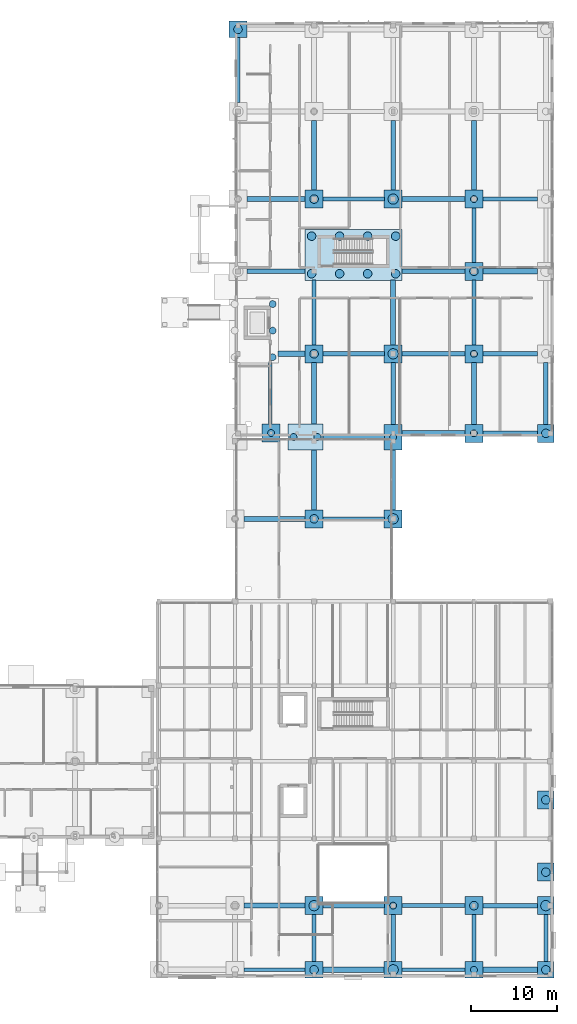
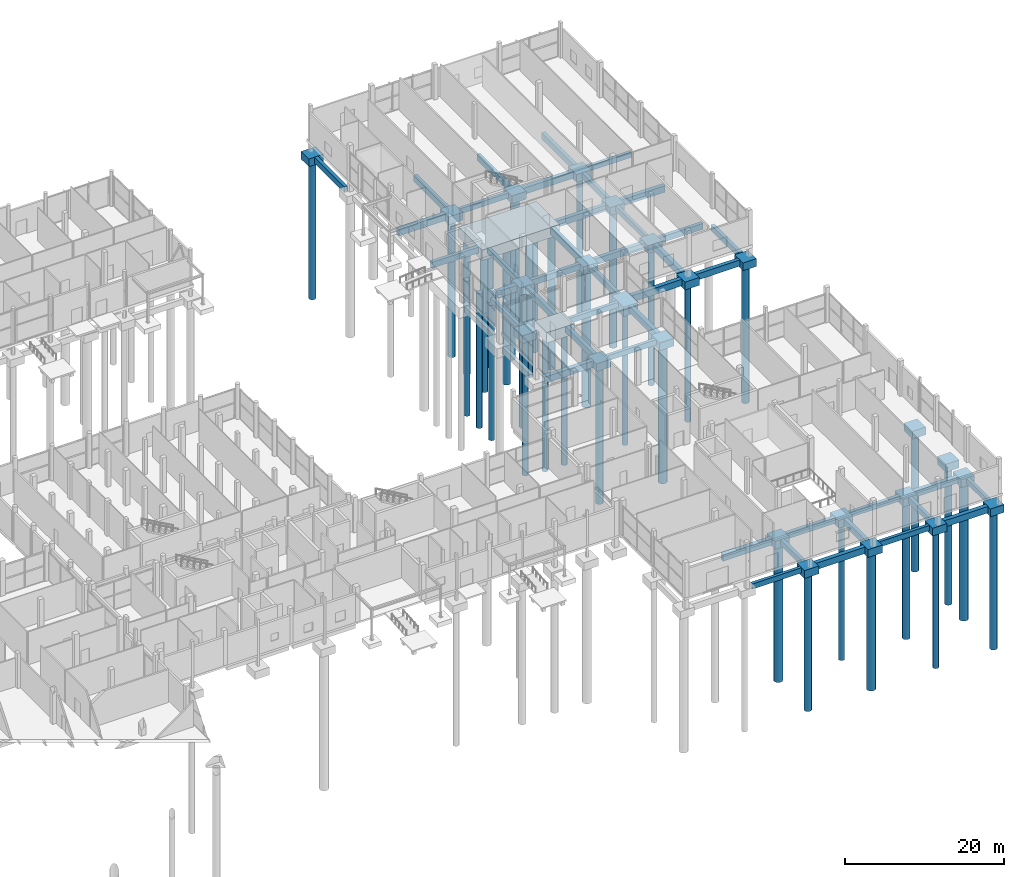
# One storey, part 3 of 88: 69 footings, 37 piles.
"""IFC4 building model written with IfcOpenShell, lengths in metres."""

from ifc_helpers import new_model, si_unit, direction, frame, origin, origin_2d, place, context, subcontext, project, spatial, rectangle, circle, extrude, material, material_profile, profile_set, type_object, element, save


model = new_model("IFC4")

# Units and contexts
model_context = context("Model", 3, precision=1e-05, world=origin(), true_north=direction((0.0, 1.0)))
body_context = subcontext(model_context, "Body", "Model", "MODEL_VIEW")
ifc_project = project(units=[si_unit("LENGTHUNIT", "METRE"), si_unit("AREAUNIT", "SQUARE_METRE"), si_unit("VOLUMEUNIT", "CUBIC_METRE"), si_unit("PLANEANGLEUNIT", "RADIAN"), si_unit("MASSUNIT", "GRAM", prefix="KILO")], contexts=[model_context])

# Site, building, storey
site_placement = place(None, origin())
site = spatial("IfcSite", under=ifc_project, at=site_placement, CompositionType="ELEMENT")
building_placement = place(site_placement, origin())
building = spatial("IfcBuilding", under=site, at=building_placement, Name="Birchvale Park Specialist Clinic", CompositionType="ELEMENT")
storey_placement = place(building_placement, origin())
storey = spatial("IfcBuildingStorey", under=building, at=storey_placement, Name="L00", CompositionType="ELEMENT", Elevation=0.0)

# Footings
ifc_material = material(Name="Concrete C40/50", Category="concrete")
footing_type_1 = type_object("IfcFootingType", Name="FTB-1", PredefinedType="FOOTING_BEAM", material=ifc_material)
for number, where, z_axis, x_axis, name in (
    (1, (137.199951171875, 5.22998046875, -2.64990234375), (0.0, 0.0, 1.0), (1.0, 0.0, 0.0), "L00 foundation tie beam 141"),
    (2, (155.800048828125, 5.22998046875, -2.64990234375), (0.0, 0.0, 1.0), (1.0, 0.0, 0.0), "L00 foundation tie beam 145"),
):
    element("IfcFooting", number, at=place(storey_placement, frame(where, z_axis=z_axis, x_axis=x_axis)), inside=storey, type_object=footing_type_1, Name=name, PredefinedType="FOOTING_BEAM", context=body_context, shape_type="SweptSolid", body=[
        extrude(rectangle(XDim=0.5, YDim=5.47998046875, at=origin_2d()), origin(), (0.0, 0.0, 1.0), 0.89990234375),
    ])
footing_1_placement = place(storey_placement, frame((141.800048828125, 9.0, -2.64990234375), z_axis=(0.0, 0.0, 1.0), x_axis=(1.0, 0.0, 0.0)))
element("IfcFooting", 3, at=footing_1_placement, inside=storey, type_object=footing_type_1, Name="L00 foundation tie beam 149", PredefinedType="FOOTING_BEAM", context=body_context, shape_type="SweptSolid", body=[
    extrude(rectangle(XDim=7.139892578125, YDim=0.5, at=origin_2d()), origin(), (0.0, 0.0, 1.0), 0.89990234375),
])
for number, where, z_axis, x_axis, name in (
    (4, (146.39990234375, 68.574951171875, -2.64990234375), (0.0, 0.0, 1.0), (1.0, 0.0, 0.0), "L00 foundation tie beam 165"),
    (5, (164.1650390625, 68.574951171875, -2.64990234375), (0.0, 0.0, 1.0), (1.0, 0.0, 0.0), "L00 foundation tie beam 173"),
):
    element("IfcFooting", number, at=place(storey_placement, frame(where, z_axis=z_axis, x_axis=x_axis)), inside=storey, type_object=footing_type_1, Name=name, PredefinedType="FOOTING_BEAM", context=body_context, shape_type="SweptSolid", body=[
        extrude(rectangle(XDim=0.5, YDim=7.18994140625, at=origin_2d()), origin(), (0.0, 0.0, 1.0), 0.89990234375),
    ])
footing_2_placement = place(storey_placement, frame((141.800048828125, 73.199951171875, -2.64990234375), z_axis=(0.0, 0.0, 1.0), x_axis=(1.0, 0.0, 0.0)))
element("IfcFooting", 6, at=footing_2_placement, inside=storey, type_object=footing_type_1, Name="L00 foundation tie beam 181", PredefinedType="FOOTING_BEAM", context=body_context, shape_type="SweptSolid", body=[
    extrude(rectangle(XDim=7.139892578125, YDim=0.5, at=origin_2d()), origin(), (0.0, 0.0, 1.0), 0.89990234375),
])
footing_3_placement = place(storey_placement, frame((160.02001953125, 73.199951171875, -2.64990234375), z_axis=(0.0, 0.0, 1.0), x_axis=(1.0, 0.0, 0.0)))
element("IfcFooting", 7, at=footing_3_placement, inside=storey, type_object=footing_type_1, Name="L00 foundation tie beam 185", PredefinedType="FOOTING_BEAM", context=body_context, shape_type="SweptSolid", body=[
    extrude(rectangle(XDim=6.3798828125, YDim=0.5, at=origin_2d()), origin(), (0.0, 0.0, 1.0), 0.89990234375),
])
footing_4_placement = place(storey_placement, frame((132.77490234375, 82.800048828125, -2.64990234375), z_axis=(0.0, 0.0, 1.0), x_axis=(1.0, 0.0, 0.0)))
element("IfcFooting", 8, at=footing_4_placement, inside=storey, type_object=footing_type_1, Name="L00 foundation tie beam 193", PredefinedType="FOOTING_BEAM", context=body_context, shape_type="SweptSolid", body=[
    extrude(rectangle(XDim=6.7900390625, YDim=0.5, at=origin_2d()), origin(), (0.0, 0.0, 1.0), 0.89990234375),
])
footing_5_placement = place(storey_placement, frame((155.800048828125, 87.0, -2.64990234375), z_axis=(0.0, 0.0, 1.0), x_axis=(1.0, 0.0, 0.0)))
element("IfcFooting", 9, at=footing_5_placement, inside=storey, type_object=footing_type_1, Name="L00 foundation tie beam 197", PredefinedType="FOOTING_BEAM", context=body_context, shape_type="SweptSolid", body=[
    extrude(rectangle(XDim=0.5, YDim=6.340087890625, at=origin_2d()), origin(), (0.0, 0.0, 1.0), 0.89990234375),
])
footing_6_placement = place(storey_placement, frame((146.39990234375, 96.300048828125, -2.64990234375), z_axis=(0.0, 0.0, 1.0), x_axis=(1.0, 0.0, 0.0)))
element("IfcFooting", 10, at=footing_6_placement, inside=storey, type_object=footing_type_1, Name="L00 foundation tie beam 209", PredefinedType="FOOTING_BEAM", context=body_context, shape_type="SweptSolid", body=[
    extrude(rectangle(XDim=0.5, YDim=8.139892578125, at=origin_2d()), origin(), (0.0, 0.0, 1.0), 0.89990234375),
])
footing_7_placement = place(storey_placement, frame((128.35009765625, 106.2099609375, -2.64990234375), z_axis=(0.0, 0.0, 1.0), x_axis=(1.0, 0.0, 0.0)))
element("IfcFooting", 11, at=footing_7_placement, inside=storey, type_object=footing_type_1, Name="L00 foundation tie beam 233", PredefinedType="FOOTING_BEAM", context=body_context, shape_type="SweptSolid", body=[
    extrude(rectangle(XDim=0.5, YDim=7.56005859375, at=origin_2d()), origin(), (0.0, 0.0, 1.0), 0.89990234375),
])
footing_type_2 = type_object("IfcFootingType", Name="FTB-2", PredefinedType="FOOTING_BEAM", material=ifc_material)
footing_8_placement = place(storey_placement, frame((132.60009765625, 1.534912109375, -2.5498046875), z_axis=(0.0, 0.0, 1.0), x_axis=(1.0, 0.0, 0.0)))
element("IfcFooting", 12, at=footing_8_placement, inside=storey, type_object=footing_type_2, Name="L00 foundation tie beam 138", PredefinedType="FOOTING_BEAM", context=body_context, shape_type="SweptSolid", body=[
    extrude(rectangle(XDim=7.139892578125, YDim=0.449951171875, at=origin_2d()), origin(), (0.0, 0.0, 1.0), 0.800048828125),
])
footing_9_placement = place(storey_placement, frame((151.10009765625, 1.534912109375, -2.5498046875), z_axis=(0.0, 0.0, 1.0), x_axis=(1.0, 0.0, 0.0)))
element("IfcFooting", 13, at=footing_9_placement, inside=storey, type_object=footing_type_2, Name="L00 foundation tie beam 142", PredefinedType="FOOTING_BEAM", context=body_context, shape_type="SweptSolid", body=[
    extrude(rectangle(XDim=7.340087890625, YDim=0.449951171875, at=origin_2d()), origin(), (0.0, 0.0, 1.0), 0.800048828125),
])
footing_10_placement = place(storey_placement, frame((164.1650390625, 5.22998046875, -2.5498046875), z_axis=(0.0, 0.0, 1.0), x_axis=(1.0, 0.0, 0.0)))
element("IfcFooting", 14, at=footing_10_placement, inside=storey, type_object=footing_type_2, Name="L00 foundation tie beam 146", PredefinedType="FOOTING_BEAM", context=body_context, shape_type="SweptSolid", body=[
    extrude(rectangle(XDim=0.449951171875, YDim=5.47998046875, at=origin_2d()), origin(), (0.0, 0.0, 1.0), 0.800048828125),
])
footing_11_placement = place(storey_placement, frame((151.10009765625, 9.0, -2.5498046875), z_axis=(0.0, 0.0, 1.0), x_axis=(1.0, 0.0, 0.0)))
element("IfcFooting", 15, at=footing_11_placement, inside=storey, type_object=footing_type_2, Name="L00 foundation tie beam 150", PredefinedType="FOOTING_BEAM", context=body_context, shape_type="SweptSolid", body=[
    extrude(rectangle(XDim=7.340087890625, YDim=0.449951171875, at=origin_2d()), origin(), (0.0, 0.0, 1.0), 0.800048828125),
])
for number, where, z_axis, x_axis, name in (
    (16, (141.800048828125, 54.0, -2.5498046875), (0.0, 0.0, 1.0), (1.0, 0.0, 0.0), "L00 foundation tie beam 158"),
    (17, (141.800048828125, 63.5, -2.5498046875), (0.0, 0.0, 1.0), (1.0, 0.0, 0.0), "L00 foundation tie beam 162"),
):
    element("IfcFooting", number, at=place(storey_placement, frame(where, z_axis=z_axis, x_axis=x_axis)), inside=storey, type_object=footing_type_2, Name=name, PredefinedType="FOOTING_BEAM", context=body_context, shape_type="SweptSolid", body=[
        extrude(rectangle(XDim=7.139892578125, YDim=0.449951171875, at=origin_2d()), origin(), (0.0, 0.0, 1.0), 0.800048828125),
    ])
footing_12_placement = place(storey_placement, frame((132.10009765625, 68.590087890625, -2.5498046875), z_axis=(0.0, 0.0, 1.0), x_axis=(1.0, 0.0, 0.0)))
element("IfcFooting", 18, at=footing_12_placement, inside=storey, type_object=footing_type_2, Name="L00 foundation tie beam 174", PredefinedType="FOOTING_BEAM", context=body_context, shape_type="SweptSolid", body=[
    extrude(rectangle(XDim=0.449951171875, YDim=7.159912109375, at=origin_2d()), origin(), (0.0, 0.0, 1.0), 0.800048828125),
])
for number, where, z_axis, x_axis, name in (
    (19, (137.199951171875, 78.0, -2.5498046875), (0.0, 0.0, 1.0), (1.0, 0.0, 0.0), "L00 foundation tie beam 182"),
    (20, (155.800048828125, 78.0, -2.5498046875), (0.0, 0.0, 1.0), (1.0, 0.0, 0.0), "L00 foundation tie beam 186"),
):
    element("IfcFooting", number, at=place(storey_placement, frame(where, z_axis=z_axis, x_axis=x_axis)), inside=storey, type_object=footing_type_2, Name=name, PredefinedType="FOOTING_BEAM", context=body_context, shape_type="SweptSolid", body=[
        extrude(rectangle(XDim=0.449951171875, YDim=7.5400390625, at=origin_2d()), origin(), (0.0, 0.0, 1.0), 0.800048828125),
    ])
footing_13_placement = place(storey_placement, frame((141.800048828125, 91.199951171875, -2.5498046875), z_axis=(0.0, 0.0, 1.0), x_axis=(1.0, 0.0, 0.0)))
element("IfcFooting", 21, at=footing_13_placement, inside=storey, type_object=footing_type_2, Name="L00 foundation tie beam 206", PredefinedType="FOOTING_BEAM", context=body_context, shape_type="SweptSolid", body=[
    extrude(rectangle(XDim=7.139892578125, YDim=0.449951171875, at=origin_2d()), origin(), (0.0, 0.0, 1.0), 0.800048828125),
])
footing_14_placement = place(storey_placement, frame((160.02001953125, 91.199951171875, -2.5498046875), z_axis=(0.0, 0.0, 1.0), x_axis=(1.0, 0.0, 0.0)))
element("IfcFooting", 22, at=footing_14_placement, inside=storey, type_object=footing_type_2, Name="L00 foundation tie beam 210", PredefinedType="FOOTING_BEAM", context=body_context, shape_type="SweptSolid", body=[
    extrude(rectangle(XDim=6.3798828125, YDim=0.449951171875, at=origin_2d()), origin(), (0.0, 0.0, 1.0), 0.800048828125),
])
footing_type_3 = type_object("IfcFootingType", Name="FTB-3", PredefinedType="FOOTING_BEAM", material=ifc_material)
footing_15_placement = place(storey_placement, frame((146.39990234375, 5.22998046875, -2.7001953125), z_axis=(0.0, 0.0, 1.0), x_axis=(1.0, 0.0, 0.0)))
element("IfcFooting", 23, at=footing_15_placement, inside=storey, type_object=footing_type_3, Name="L00 foundation tie beam 143", PredefinedType="FOOTING_BEAM", context=body_context, shape_type="SweptSolid", body=[
    extrude(rectangle(XDim=0.550048828125, YDim=5.47998046875, at=origin_2d()), origin(), (0.0, 0.0, 1.0), 0.949951171875),
])
footing_16_placement = place(storey_placement, frame((160.02001953125, 9.0, -2.7001953125), z_axis=(0.0, 0.0, 1.0), x_axis=(1.0, 0.0, 0.0)))
element("IfcFooting", 24, at=footing_16_placement, inside=storey, type_object=footing_type_3, Name="L00 foundation tie beam 151", PredefinedType="FOOTING_BEAM", context=body_context, shape_type="SweptSolid", body=[
    extrude(rectangle(XDim=6.3798828125, YDim=0.550048828125, at=origin_2d()), origin(), (0.0, 0.0, 1.0), 0.949951171875),
])
footing_17_placement = place(storey_placement, frame((137.199951171875, 58.52490234375, -2.7001953125), z_axis=(0.0, 0.0, 1.0), x_axis=(1.0, 0.0, 0.0)))
element("IfcFooting", 25, at=footing_17_placement, inside=storey, type_object=footing_type_3, Name="L00 foundation tie beam 159", PredefinedType="FOOTING_BEAM", context=body_context, shape_type="SweptSolid", body=[
    extrude(rectangle(XDim=0.550048828125, YDim=6.989990234375, at=origin_2d()), origin(), (0.0, 0.0, 1.0), 0.949951171875),
])
footing_18_placement = place(storey_placement, frame((137.199951171875, 68.590087890625, -2.7001953125), z_axis=(0.0, 0.0, 1.0), x_axis=(1.0, 0.0, 0.0)))
element("IfcFooting", 26, at=footing_18_placement, inside=storey, type_object=footing_type_3, Name="L00 foundation tie beam 163", PredefinedType="FOOTING_BEAM", context=body_context, shape_type="SweptSolid", body=[
    extrude(rectangle(XDim=0.550048828125, YDim=7.159912109375, at=origin_2d()), origin(), (0.0, 0.0, 1.0), 0.949951171875),
])
footing_19_placement = place(storey_placement, frame((160.02001953125, 63.949951171875, -2.7001953125), z_axis=(0.0, 0.0, 1.0), x_axis=(1.0, 0.0, 0.0)))
element("IfcFooting", 27, at=footing_19_placement, inside=storey, type_object=footing_type_3, Name="L00 foundation tie beam 171", PredefinedType="FOOTING_BEAM", context=body_context, shape_type="SweptSolid", body=[
    extrude(rectangle(XDim=6.3798828125, YDim=0.550048828125, at=origin_2d()), origin(), (0.0, 0.0, 1.0), 0.949951171875),
])
for number, where, z_axis, x_axis, name in (
    (28, (151.10009765625, 73.199951171875, -2.7001953125), (0.0, 0.0, 1.0), (1.0, 0.0, 0.0), "L00 foundation tie beam 183"),
    (29, (151.10009765625, 82.800048828125, -2.7001953125), (0.0, 0.0, 1.0), (1.0, 0.0, 0.0), "L00 foundation tie beam 195"),
):
    element("IfcFooting", number, at=place(storey_placement, frame(where, z_axis=z_axis, x_axis=x_axis)), inside=storey, type_object=footing_type_3, Name=name, PredefinedType="FOOTING_BEAM", context=body_context, shape_type="SweptSolid", body=[
        extrude(rectangle(XDim=7.340087890625, YDim=0.550048828125, at=origin_2d()), origin(), (0.0, 0.0, 1.0), 0.949951171875),
    ])
for number, where, z_axis, x_axis, name in (
    (30, (137.199951171875, 96.300048828125, -2.7001953125), (0.0, 0.0, 1.0), (1.0, 0.0, 0.0), "L00 foundation tie beam 207"),
    (31, (155.800048828125, 96.300048828125, -2.7001953125), (0.0, 0.0, 1.0), (1.0, 0.0, 0.0), "L00 foundation tie beam 211"),
):
    element("IfcFooting", number, at=place(storey_placement, frame(where, z_axis=z_axis, x_axis=x_axis)), inside=storey, type_object=footing_type_3, Name=name, PredefinedType="FOOTING_BEAM", context=body_context, shape_type="SweptSolid", body=[
        extrude(rectangle(XDim=0.550048828125, YDim=8.139892578125, at=origin_2d()), origin(), (0.0, 0.0, 1.0), 0.949951171875),
    ])
footing_type_4 = type_object("IfcFootingType", Name="FTB-4", PredefinedType="FOOTING_BEAM", material=ifc_material)
footing_20_placement = place(storey_placement, frame((141.800048828125, 1.534912109375, -2.75), z_axis=(0.0, 0.0, 1.0), x_axis=(1.0, 0.0, 0.0)))
element("IfcFooting", 32, at=footing_20_placement, inside=storey, type_object=footing_type_4, Name="L00 foundation tie beam 140", PredefinedType="FOOTING_BEAM", context=body_context, shape_type="SweptSolid", body=[
    extrude(rectangle(XDim=7.139892578125, YDim=0.60009765625, at=origin_2d()), origin(), (0.0, 0.0, 1.0), 1.0),
])
footing_21_placement = place(storey_placement, frame((160.02001953125, 1.534912109375, -2.75), z_axis=(0.0, 0.0, 1.0), x_axis=(1.0, 0.0, 0.0)))
element("IfcFooting", 33, at=footing_21_placement, inside=storey, type_object=footing_type_4, Name="L00 foundation tie beam 144", PredefinedType="FOOTING_BEAM", context=body_context, shape_type="SweptSolid", body=[
    extrude(rectangle(XDim=6.3798828125, YDim=0.60009765625, at=origin_2d()), origin(), (0.0, 0.0, 1.0), 1.0),
])
for number, where, z_axis, x_axis, name in (
    (34, (132.60009765625, 9.0, -2.75), (0.0, 0.0, 1.0), (1.0, 0.0, 0.0), "L00 foundation tie beam 148"),
    (35, (132.60009765625, 54.0, -2.75), (0.0, 0.0, 1.0), (1.0, 0.0, 0.0), "L00 foundation tie beam 156"),
):
    element("IfcFooting", number, at=place(storey_placement, frame(where, z_axis=z_axis, x_axis=x_axis)), inside=storey, type_object=footing_type_4, Name=name, PredefinedType="FOOTING_BEAM", context=body_context, shape_type="SweptSolid", body=[
        extrude(rectangle(XDim=7.139892578125, YDim=0.60009765625, at=origin_2d()), origin(), (0.0, 0.0, 1.0), 1.0),
    ])
footing_22_placement = place(storey_placement, frame((146.39990234375, 58.52490234375, -2.75), z_axis=(0.0, 0.0, 1.0), x_axis=(1.0, 0.0, 0.0)))
element("IfcFooting", 36, at=footing_22_placement, inside=storey, type_object=footing_type_4, Name="L00 foundation tie beam 160", PredefinedType="FOOTING_BEAM", context=body_context, shape_type="SweptSolid", body=[
    extrude(rectangle(XDim=0.60009765625, YDim=6.989990234375, at=origin_2d()), origin(), (0.0, 0.0, 1.0), 1.0),
])
footing_23_placement = place(storey_placement, frame((151.10009765625, 63.949951171875, -2.75), z_axis=(0.0, 0.0, 1.0), x_axis=(1.0, 0.0, 0.0)))
element("IfcFooting", 37, at=footing_23_placement, inside=storey, type_object=footing_type_4, Name="L00 foundation tie beam 164", PredefinedType="FOOTING_BEAM", context=body_context, shape_type="SweptSolid", body=[
    extrude(rectangle(XDim=7.340087890625, YDim=0.60009765625, at=origin_2d()), origin(), (0.0, 0.0, 1.0), 1.0),
])
footing_24_placement = place(storey_placement, frame((155.800048828125, 68.574951171875, -2.75), z_axis=(0.0, 0.0, 1.0), x_axis=(1.0, 0.0, 0.0)))
element("IfcFooting", 38, at=footing_24_placement, inside=storey, type_object=footing_type_4, Name="L00 foundation tie beam 172", PredefinedType="FOOTING_BEAM", context=body_context, shape_type="SweptSolid", body=[
    extrude(rectangle(XDim=0.60009765625, YDim=7.18994140625, at=origin_2d()), origin(), (0.0, 0.0, 1.0), 1.0),
])
footing_25_placement = place(storey_placement, frame((134.60009765625, 73.199951171875, -2.75), z_axis=(0.0, 0.0, 1.0), x_axis=(1.0, 0.0, 0.0)))
element("IfcFooting", 39, at=footing_25_placement, inside=storey, type_object=footing_type_4, Name="L00 foundation tie beam 180", PredefinedType="FOOTING_BEAM", context=body_context, shape_type="SweptSolid", body=[
    extrude(rectangle(XDim=3.139892578125, YDim=0.60009765625, at=origin_2d()), origin(), (0.0, 0.0, 1.0), 1.0),
])
footing_26_placement = place(storey_placement, frame((146.39990234375, 78.0, -2.75), z_axis=(0.0, 0.0, 1.0), x_axis=(1.0, 0.0, 0.0)))
element("IfcFooting", 40, at=footing_26_placement, inside=storey, type_object=footing_type_4, Name="L00 foundation tie beam 184", PredefinedType="FOOTING_BEAM", context=body_context, shape_type="SweptSolid", body=[
    extrude(rectangle(XDim=0.60009765625, YDim=7.5400390625, at=origin_2d()), origin(), (0.0, 0.0, 1.0), 1.0),
])
footing_27_placement = place(storey_placement, frame((160.02001953125, 82.800048828125, -2.75), z_axis=(0.0, 0.0, 1.0), x_axis=(1.0, 0.0, 0.0)))
element("IfcFooting", 41, at=footing_27_placement, inside=storey, type_object=footing_type_4, Name="L00 foundation tie beam 196", PredefinedType="FOOTING_BEAM", context=body_context, shape_type="SweptSolid", body=[
    extrude(rectangle(XDim=6.3798828125, YDim=0.60009765625, at=origin_2d()), origin(), (0.0, 0.0, 1.0), 1.0),
])
footing_28_placement = place(storey_placement, frame((132.77490234375, 91.199951171875, -2.75), z_axis=(0.0, 0.0, 1.0), x_axis=(1.0, 0.0, 0.0)))
element("IfcFooting", 42, at=footing_28_placement, inside=storey, type_object=footing_type_4, Name="L00 foundation tie beam 204", PredefinedType="FOOTING_BEAM", context=body_context, shape_type="SweptSolid", body=[
    extrude(rectangle(XDim=6.7900390625, YDim=0.60009765625, at=origin_2d()), origin(), (0.0, 0.0, 1.0), 1.0),
])
footing_29_placement = place(storey_placement, frame((151.10009765625, 91.199951171875, -2.75), z_axis=(0.0, 0.0, 1.0), x_axis=(1.0, 0.0, 0.0)))
element("IfcFooting", 43, at=footing_29_placement, inside=storey, type_object=footing_type_4, Name="L00 foundation tie beam 208", PredefinedType="FOOTING_BEAM", context=body_context, shape_type="SweptSolid", body=[
    extrude(rectangle(XDim=7.340087890625, YDim=0.60009765625, at=origin_2d()), origin(), (0.0, 0.0, 1.0), 1.0),
])
footing_type_5 = type_object("IfcFootingType", Name="FTG-PC-17", PredefinedType="PILE_CAP", material=ifc_material)
footing_30_placement = place(storey_placement, frame((164.1650390625, 1.534912109375, -2.9501953125), z_axis=(0.0, 0.0, 1.0), x_axis=(1.0, 0.0, 0.0)))
element("IfcFooting", 44, at=footing_30_placement, inside=storey, type_object=footing_type_5, Name="L00 pile cap 126", PredefinedType="PILE_CAP", context=body_context, shape_type="SweptSolid", body=[
    extrude(rectangle(XDim=1.949951171875, YDim=1.949951171875, at=origin_2d()), origin(), (0.0, 0.0, 1.0), 1.199951171875),
])
footing_type_6 = type_object("IfcFootingType", Name="FTG-PC-18", PredefinedType="PILE_CAP", material=ifc_material)
for number, where, z_axis, x_axis, name in (
    (45, (137.199951171875, 1.534912109375, -2.9501953125), (0.0, 0.0, 1.0), (1.0, 0.0, 0.0), "L00 pile cap 123"),
    (46, (146.39990234375, 1.534912109375, -2.9501953125), (0.0, 0.0, 1.0), (1.0, 0.0, 0.0), "L00 pile cap 124"),
    (47, (155.800048828125, 1.534912109375, -2.9501953125), (0.0, 0.0, 1.0), (1.0, 0.0, 0.0), "L00 pile cap 125"),
    (48, (128.35009765625, 110.945068359375, -2.9501953125), (0.0, 0.0, 1.0), (1.0, 0.0, 0.0), "L00 pile cap 231"),
):
    element("IfcFooting", number, at=place(storey_placement, frame(where, z_axis=z_axis, x_axis=x_axis)), inside=storey, type_object=footing_type_6, Name=name, PredefinedType="PILE_CAP", context=body_context, shape_type="SweptSolid", body=[
        extrude(rectangle(XDim=2.10009765625, YDim=1.949951171875, at=origin_2d()), origin(), (0.0, 0.0, 1.0), 1.199951171875),
    ])
footing_type_7 = type_object("IfcFootingType", Name="FTG-PC-19", PredefinedType="PILE_CAP", material=ifc_material)
for number, where, z_axis, x_axis, name in (
    (49, (164.1650390625, 9.0, -2.9501953125), (0.0, 0.0, 1.0), (1.0, 0.0, 0.0), "L00 pile cap 133"),
    (50, (164.1650390625, 12.89990234375, -2.9501953125), (0.0, 0.0, 1.0), (1.0, 0.0, 0.0), "L00 pile cap 135"),
    (51, (164.1650390625, 21.300048828125, -2.9501953125), (0.0, 0.0, 1.0), (1.0, 0.0, 0.0), "L00 pile cap 147"),
    (52, (164.1650390625, 63.949951171875, -2.9501953125), (0.0, 0.0, 1.0), (1.0, 0.0, 0.0), "L00 pile cap 168"),
):
    element("IfcFooting", number, at=place(storey_placement, frame(where, z_axis=z_axis, x_axis=x_axis)), inside=storey, type_object=footing_type_7, Name=name, PredefinedType="PILE_CAP", context=body_context, shape_type="SweptSolid", body=[
        extrude(rectangle(XDim=1.949951171875, YDim=2.10009765625, at=origin_2d()), origin(), (0.0, 0.0, 1.0), 1.199951171875),
    ])
footing_type_8 = type_object("IfcFootingType", Name="FTG-PC-20", PredefinedType="PILE_CAP", material=ifc_material)
for number, where, z_axis, x_axis, name in (
    (53, (137.199951171875, 9.0, -2.9501953125), (0.0, 0.0, 1.0), (1.0, 0.0, 0.0), "L00 pile cap 130"),
    (54, (146.39990234375, 9.0, -2.9501953125), (0.0, 0.0, 1.0), (1.0, 0.0, 0.0), "L00 pile cap 131"),
    (55, (155.800048828125, 9.0, -2.9501953125), (0.0, 0.0, 1.0), (1.0, 0.0, 0.0), "L00 pile cap 132"),
    (56, (137.199951171875, 54.0, -2.9501953125), (0.0, 0.0, 1.0), (1.0, 0.0, 0.0), "L00 pile cap 159"),
    (57, (146.39990234375, 54.0, -2.9501953125), (0.0, 0.0, 1.0), (1.0, 0.0, 0.0), "L00 pile cap 160"),
    (58, (155.800048828125, 63.949951171875, -2.9501953125), (0.0, 0.0, 1.0), (1.0, 0.0, 0.0), "L00 pile cap 167"),
    (59, (132.199951171875, 63.97998046875, -2.9501953125), (0.0, 0.0, 1.0), (1.0, 0.0, 0.0), "L00 pile cap 169"),
    (60, (137.199951171875, 73.199951171875, -2.9501953125), (0.0, 0.0, 1.0), (1.0, 0.0, 0.0), "L00 pile cap 174"),
    (61, (146.39990234375, 73.199951171875, -2.9501953125), (0.0, 0.0, 1.0), (1.0, 0.0, 0.0), "L00 pile cap 175"),
    (62, (155.800048828125, 73.199951171875, -2.9501953125), (0.0, 0.0, 1.0), (1.0, 0.0, 0.0), "L00 pile cap 176"),
    (63, (155.800048828125, 82.800048828125, -2.9501953125), (0.0, 0.0, 1.0), (1.0, 0.0, 0.0), "L00 pile cap 183"),
    (64, (137.199951171875, 91.199951171875, -2.9501953125), (0.0, 0.0, 1.0), (1.0, 0.0, 0.0), "L00 pile cap 189"),
    (65, (146.39990234375, 91.199951171875, -2.9501953125), (0.0, 0.0, 1.0), (1.0, 0.0, 0.0), "L00 pile cap 190"),
    (66, (155.800048828125, 91.199951171875, -2.9501953125), (0.0, 0.0, 1.0), (1.0, 0.0, 0.0), "L00 pile cap 191"),
):
    element("IfcFooting", number, at=place(storey_placement, frame(where, z_axis=z_axis, x_axis=x_axis)), inside=storey, type_object=footing_type_8, Name=name, PredefinedType="PILE_CAP", context=body_context, shape_type="SweptSolid", body=[
        extrude(rectangle(XDim=2.10009765625, YDim=2.10009765625, at=origin_2d()), origin(), (0.0, 0.0, 1.0), 1.199951171875),
    ])
footing_type_9 = type_object("IfcFootingType", Name="FTG-PC-23", PredefinedType="PILE_CAP", material=ifc_material)
footing_31_placement = place(storey_placement, frame((136.199951171875, 63.514892578125, -3.35009765625), z_axis=(0.0, 0.0, 1.0), x_axis=(1.0, 0.0, 0.0)))
element("IfcFooting", 67, at=footing_31_placement, inside=storey, type_object=footing_type_9, Name="L00 pile cap 162", PredefinedType="PILE_CAP", context=body_context, shape_type="SweptSolid", body=[
    extrude(rectangle(XDim=4.10009765625, YDim=3.030029296875, at=origin_2d()), origin(), (0.0, 0.0, 1.0), 1.60009765625),
])
footing_type_10 = type_object("IfcFootingType", Name="FTG-PC-24", PredefinedType="PILE_CAP", material=ifc_material)
footing_32_placement = place(storey_placement, frame((146.39990234375, 63.5, -3.2001953125), z_axis=(0.0, 0.0, 1.0), x_axis=(1.0, 0.0, 0.0)))
element("IfcFooting", 68, at=footing_32_placement, inside=storey, type_object=footing_type_10, Name="L00 pile cap 163", PredefinedType="PILE_CAP", context=body_context, shape_type="SweptSolid", body=[
    extrude(rectangle(XDim=2.10009765625, YDim=3.0, at=origin_2d()), origin(), (0.0, 0.0, 1.0), 1.449951171875),
])
footing_type_11 = type_object("IfcFootingType", Name="FTG-PC-26", PredefinedType="PILE_CAP", material=ifc_material)
footing_33_placement = place(storey_placement, frame((141.800048828125, 84.699951171875, -3.35009765625), z_axis=(0.0, 0.0, 1.0), x_axis=(1.0, 0.0, 0.0)))
element("IfcFooting", 69, at=footing_33_placement, inside=storey, type_object=footing_type_11, Name="L00 pile cap 182", PredefinedType="PILE_CAP", context=body_context, shape_type="SweptSolid", body=[
    extrude(rectangle(XDim=11.300048828125, YDim=5.89990234375, at=origin_2d()), origin(), (0.0, 0.0, 1.0), 1.60009765625),
])

# Piles
ifc_material_profile_1 = material_profile(ifc_material, circle(Radius=0.39990234375, at=origin_2d()), Name="PILE-800")
ifc_profile_set_1 = profile_set([ifc_material_profile_1], Name="Concrete C40/50")
pile_type_1 = type_object("IfcPileType", Name="PILE-P1", PredefinedType="BORED", material=ifc_profile_set_1)
for number, where, z_axis, x_axis, name in (
    (70, (155.800048828125, 1.534912109375, -2.85009765625), (0.0, 0.0, -1.0), (1.0, 0.0, 0.0), "L00 bored pile 187 (P1)"),
    (71, (146.39990234375, 9.0, -2.85009765625), (0.0, 0.0, -1.0), (1.0, 0.0, 0.0), "L00 bored pile 193 (P1)"),
):
    element("IfcPile", number, at=place(storey_placement, frame(where, z_axis=z_axis, x_axis=x_axis)), inside=storey, type_object=pile_type_1, Name=name, PredefinedType="BORED", context=body_context, shape_type="SweptSolid", body=[
        extrude(circle(Radius=0.39990234375, at=origin_2d()), origin(), (0.0, 0.0, 1.0), 21.14990234375),
    ])
for number, where, z_axis, x_axis, name in (
    (72, (134.81005859375, 63.514892578125, -3.25), (0.0, 0.0, -1.0), (1.0, 0.0, 0.0), "L00 bored pile 216 (P1)"),
    (73, (137.590087890625, 63.514892578125, -3.25), (0.0, 0.0, -1.0), (1.0, 0.0, 0.0), "L00 bored pile 217 (P1)"),
):
    element("IfcPile", number, at=place(storey_placement, frame(where, z_axis=z_axis, x_axis=x_axis)), inside=storey, type_object=pile_type_1, Name=name, PredefinedType="BORED", context=body_context, shape_type="SweptSolid", body=[
        extrude(circle(Radius=0.39990234375, at=origin_2d()), origin(), (0.0, 0.0, 1.0), 20.75),
    ])
pile_placement = place(storey_placement, frame((146.39990234375, 63.5, -3.10009765625), z_axis=(0.0, 0.0, -1.0), x_axis=(1.0, 0.0, 0.0)))
element("IfcPile", 74, at=pile_placement, inside=storey, type_object=pile_type_1, Name="L00 bored pile 218 (P1)", PredefinedType="BORED", context=body_context, shape_type="SweptSolid", body=[
    extrude(circle(Radius=0.39990234375, at=origin_2d()), origin(), (0.0, 0.0, 1.0), 20.89990234375),
])
for number, where, z_axis, x_axis, name in (
    (75, (155.800048828125, 63.949951171875, -2.85009765625), (0.0, 0.0, -1.0), (1.0, 0.0, 0.0), "L00 bored pile 222 (P1)"),
    (76, (132.199951171875, 63.97998046875, -2.85009765625), (0.0, 0.0, -1.0), (1.0, 0.0, 0.0), "L00 bored pile 224 (P1)"),
):
    element("IfcPile", number, at=place(storey_placement, frame(where, z_axis=z_axis, x_axis=x_axis)), inside=storey, type_object=pile_type_1, Name=name, PredefinedType="BORED", context=body_context, shape_type="SweptSolid", body=[
        extrude(circle(Radius=0.39990234375, at=origin_2d()), origin(), (0.0, 0.0, 1.0), 21.14990234375),
    ])
for number, where, z_axis, x_axis, name in (
    (77, (132.389892578125, 72.81005859375, -3.25), (0.0, 0.0, -1.0), (1.0, 0.0, 0.0), "L00 bored pile 231 (P1)"),
    (78, (132.389892578125, 75.89990234375, -3.25), (0.0, 0.0, -1.0), (1.0, 0.0, 0.0), "L00 bored pile 232 (P1)"),
    (79, (132.389892578125, 78.989990234375, -3.25), (0.0, 0.0, -1.0), (1.0, 0.0, 0.0), "L00 bored pile 233 (P1)"),
):
    element("IfcPile", number, at=place(storey_placement, frame(where, z_axis=z_axis, x_axis=x_axis)), inside=storey, type_object=pile_type_1, Name=name, PredefinedType="BORED", context=body_context, shape_type="SweptSolid", body=[
        extrude(circle(Radius=0.39990234375, at=origin_2d()), origin(), (0.0, 0.0, 1.0), 20.75),
    ])
for number, where, z_axis, x_axis, name in (
    (80, (155.800048828125, 73.199951171875, -2.85009765625), (0.0, 0.0, -1.0), (1.0, 0.0, 0.0), "L00 bored pile 236 (P1)"),
    (81, (155.800048828125, 91.199951171875, -2.85009765625), (0.0, 0.0, -1.0), (1.0, 0.0, 0.0), "L00 bored pile 258 (P1)"),
):
    element("IfcPile", number, at=place(storey_placement, frame(where, z_axis=z_axis, x_axis=x_axis)), inside=storey, type_object=pile_type_1, Name=name, PredefinedType="BORED", context=body_context, shape_type="SweptSolid", body=[
        extrude(circle(Radius=0.39990234375, at=origin_2d()), origin(), (0.0, 0.0, 1.0), 21.14990234375),
    ])
ifc_material_profile_2 = material_profile(ifc_material, circle(Radius=0.5, at=origin_2d()), Name="PILE-1000")
ifc_profile_set_2 = profile_set([ifc_material_profile_2], Name="Concrete C40/50")
pile_type_2 = type_object("IfcPileType", Name="PILE-P2", PredefinedType="BORED", material=ifc_profile_set_2)
for number, where, z_axis, x_axis, name in (
    (82, (137.199951171875, 1.534912109375, -2.85009765625), (0.0, 0.0, -1.0), (1.0, 0.0, 0.0), "L00 bored pile 185 (P2)"),
    (83, (164.1650390625, 1.534912109375, -2.85009765625), (0.0, 0.0, -1.0), (1.0, 0.0, 0.0), "L00 bored pile 188 (P2)"),
    (84, (155.800048828125, 9.0, -2.85009765625), (0.0, 0.0, -1.0), (1.0, 0.0, 0.0), "L00 bored pile 194 (P2)"),
    (85, (164.1650390625, 12.89990234375, -2.85009765625), (0.0, 0.0, -1.0), (1.0, 0.0, 0.0), "L00 bored pile 197 (P2)"),
    (86, (164.1650390625, 21.300048828125, -2.85009765625), (0.0, 0.0, -1.0), (1.0, 0.0, 0.0), "L00 bored pile 206 (P2)"),
    (87, (137.199951171875, 54.0, -2.85009765625), (0.0, 0.0, -1.0), (1.0, 0.0, 0.0), "L00 bored pile 213 (P2)"),
    (88, (164.1650390625, 63.949951171875, -2.85009765625), (0.0, 0.0, -1.0), (1.0, 0.0, 0.0), "L00 bored pile 223 (P2)"),
    (89, (137.199951171875, 73.199951171875, -2.85009765625), (0.0, 0.0, -1.0), (1.0, 0.0, 0.0), "L00 bored pile 234 (P2)"),
):
    element("IfcPile", number, at=place(storey_placement, frame(where, z_axis=z_axis, x_axis=x_axis)), inside=storey, type_object=pile_type_2, Name=name, PredefinedType="BORED", context=body_context, shape_type="SweptSolid", body=[
        extrude(circle(Radius=0.5, at=origin_2d()), origin(), (0.0, 0.0, 1.0), 21.14990234375),
    ])
for number, where, z_axis, x_axis, name in (
    (90, (136.909912109375, 82.510009765625, -3.25), (0.0, 0.0, -1.0), (1.0, 0.0, 0.0), "L00 bored pile 242 (P2)"),
    (91, (136.909912109375, 86.889892578125, -3.25), (0.0, 0.0, -1.0), (1.0, 0.0, 0.0), "L00 bored pile 243 (P2)"),
    (92, (140.169921875, 82.510009765625, -3.25), (0.0, 0.0, -1.0), (1.0, 0.0, 0.0), "L00 bored pile 244 (P2)"),
    (93, (140.169921875, 86.889892578125, -3.25), (0.0, 0.0, -1.0), (1.0, 0.0, 0.0), "L00 bored pile 245 (P2)"),
    (94, (143.429931640625, 82.510009765625, -3.25), (0.0, 0.0, -1.0), (1.0, 0.0, 0.0), "L00 bored pile 246 (P2)"),
    (95, (143.429931640625, 86.889892578125, -3.25), (0.0, 0.0, -1.0), (1.0, 0.0, 0.0), "L00 bored pile 247 (P2)"),
    (96, (146.68994140625, 82.510009765625, -3.25), (0.0, 0.0, -1.0), (1.0, 0.0, 0.0), "L00 bored pile 248 (P2)"),
    (97, (146.68994140625, 86.889892578125, -3.25), (0.0, 0.0, -1.0), (1.0, 0.0, 0.0), "L00 bored pile 249 (P2)"),
):
    element("IfcPile", number, at=place(storey_placement, frame(where, z_axis=z_axis, x_axis=x_axis)), inside=storey, type_object=pile_type_2, Name=name, PredefinedType="BORED", context=body_context, shape_type="SweptSolid", body=[
        extrude(circle(Radius=0.5, at=origin_2d()), origin(), (0.0, 0.0, 1.0), 20.75),
    ])
for number, where, z_axis, x_axis, name in (
    (98, (155.800048828125, 82.800048828125, -2.85009765625), (0.0, 0.0, -1.0), (1.0, 0.0, 0.0), "L00 bored pile 250 (P2)"),
    (99, (137.199951171875, 91.199951171875, -2.85009765625), (0.0, 0.0, -1.0), (1.0, 0.0, 0.0), "L00 bored pile 256 (P2)"),
    (100, (128.35009765625, 110.945068359375, -2.85009765625), (0.0, 0.0, -1.0), (1.0, 0.0, 0.0), "L00 bored pile 298 (P2)"),
):
    element("IfcPile", number, at=place(storey_placement, frame(where, z_axis=z_axis, x_axis=x_axis)), inside=storey, type_object=pile_type_2, Name=name, PredefinedType="BORED", context=body_context, shape_type="SweptSolid", body=[
        extrude(circle(Radius=0.5, at=origin_2d()), origin(), (0.0, 0.0, 1.0), 21.14990234375),
    ])
ifc_material_profile_3 = material_profile(ifc_material, circle(Radius=0.60009765625, at=origin_2d()), Name="PILE-1200")
ifc_profile_set_3 = profile_set([ifc_material_profile_3], Name="Concrete C40/50")
pile_type_3 = type_object("IfcPileType", Name="PILE-P3", PredefinedType="BORED", material=ifc_profile_set_3)
for number, where, z_axis, x_axis, name in (
    (101, (146.39990234375, 1.534912109375, -2.85009765625), (0.0, 0.0, -1.0), (1.0, 0.0, 0.0), "L00 bored pile 186 (P3)"),
    (102, (137.199951171875, 9.0, -2.85009765625), (0.0, 0.0, -1.0), (1.0, 0.0, 0.0), "L00 bored pile 192 (P3)"),
    (103, (164.1650390625, 9.0, -2.85009765625), (0.0, 0.0, -1.0), (1.0, 0.0, 0.0), "L00 bored pile 195 (P3)"),
    (104, (146.39990234375, 54.0, -2.85009765625), (0.0, 0.0, -1.0), (1.0, 0.0, 0.0), "L00 bored pile 214 (P3)"),
    (105, (146.39990234375, 73.199951171875, -2.85009765625), (0.0, 0.0, -1.0), (1.0, 0.0, 0.0), "L00 bored pile 235 (P3)"),
    (106, (146.39990234375, 91.199951171875, -2.85009765625), (0.0, 0.0, -1.0), (1.0, 0.0, 0.0), "L00 bored pile 257 (P3)"),
):
    element("IfcPile", number, at=place(storey_placement, frame(where, z_axis=z_axis, x_axis=x_axis)), inside=storey, type_object=pile_type_3, Name=name, PredefinedType="BORED", context=body_context, shape_type="SweptSolid", body=[
        extrude(circle(Radius=0.60009765625, at=origin_2d()), origin(), (0.0, 0.0, 1.0), 21.14990234375),
    ])

save(model, "model.ifc")
